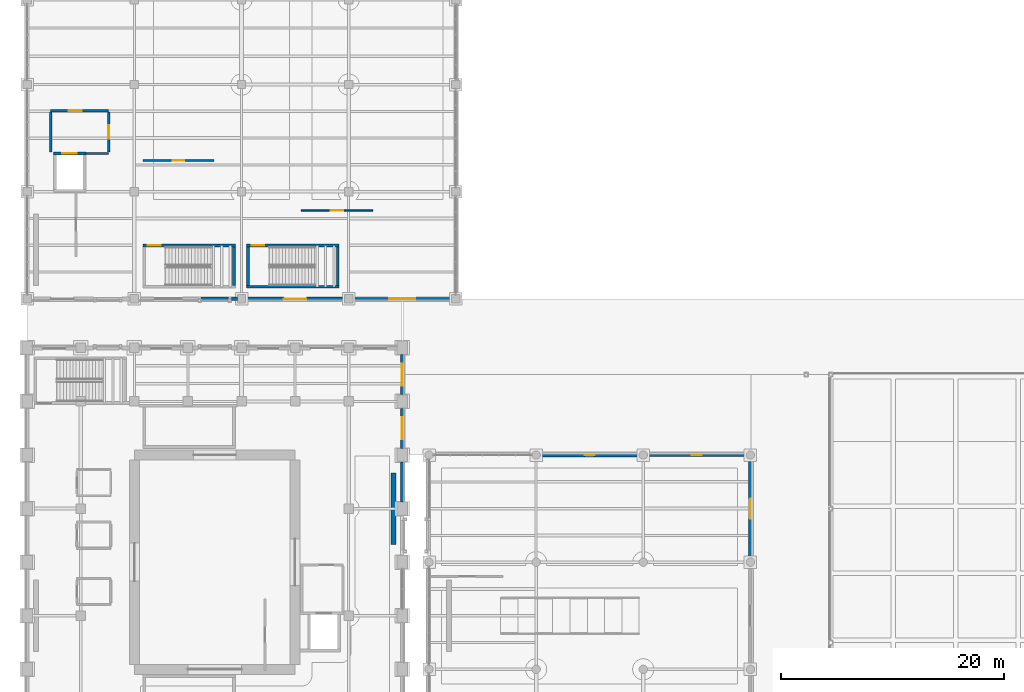
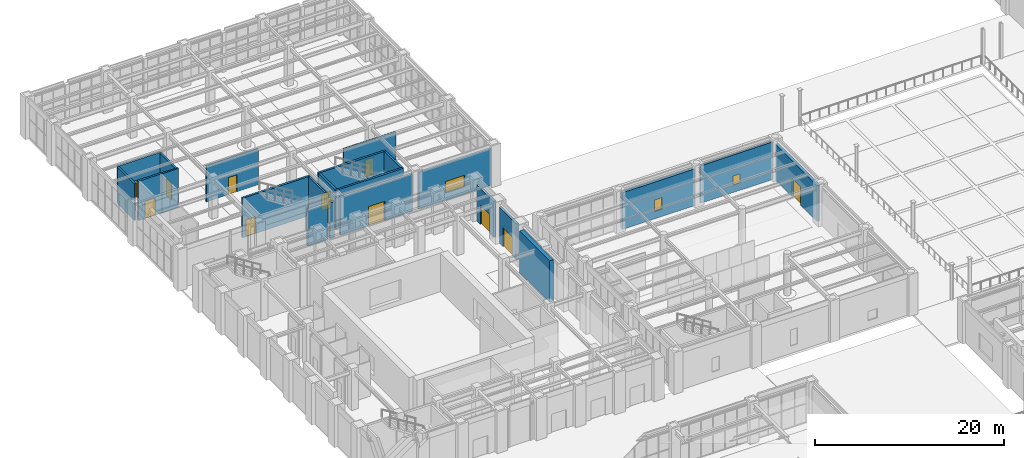
# One storey, part 134 of 164: 24 walls, 11 doors, 3 windows, 14 openings.
"""IFC4 building model written with IfcOpenShell, lengths in metres."""

from ifc_helpers import new_model, si_unit, direction, frame, frame_2d, origin, place, context, subcontext, project, spatial, rectangle, extrude, material, layer, layer_set, type_object, element, fill, save


model = new_model("IFC4")

# Units and contexts
model_context = context("Model", 3, precision=1e-05, world=origin(), true_north=direction((0.0, 1.0)))
body_context = subcontext(model_context, "Body", "Model", "MODEL_VIEW")
ifc_project = project(units=[si_unit("LENGTHUNIT", "METRE"), si_unit("AREAUNIT", "SQUARE_METRE"), si_unit("VOLUMEUNIT", "CUBIC_METRE"), si_unit("PLANEANGLEUNIT", "RADIAN"), si_unit("MASSUNIT", "GRAM", prefix="KILO")], contexts=[model_context])

# Site, building, storey
site_placement = place(None, origin())
site = spatial("IfcSite", under=ifc_project, at=site_placement, CompositionType="ELEMENT")
building_placement = place(site_placement, origin())
building = spatial("IfcBuilding", under=site, at=building_placement, Name="Mavantir Sound Aquarium", CompositionType="ELEMENT")
storey_placement = place(building_placement, origin())
storey = spatial("IfcBuildingStorey", under=building, at=storey_placement, Name="L00", CompositionType="ELEMENT", Elevation=0.0)

# Walls
ifc_material_1 = material(Name="Coral-Buff Architectural Precast Concrete C40/50", Category="concrete")
ifc_layer_1 = layer(ifc_material_1, 0.31005859375, Name="Coral-Buff Architectural Precast Concrete C40/50")
ifc_layer_set_1 = layer_set([ifc_layer_1], Name="Coral-Buff Architectural Precast Concrete C40/50")
wall_type_1 = type_object("IfcWallType", Name="EW-CORAL-310", PredefinedType="SOLIDWALL", material=ifc_layer_set_1)
wall_1_placement = place(storey_placement, frame((18.282958984375, 83.60009765625, 0.0), z_axis=(0.0, 0.0, 1.0), x_axis=(1.0, 0.0, 0.0)))
element("IfcWall", 1, at=wall_1_placement, inside=storey, type_object=wall_type_1, Name="L00 exterior facade wall EW-02 110", PredefinedType="SOLIDWALL", context=body_context, shape_type="SweptSolid", body=[
    extrude(rectangle(XDim=0.533935546875, YDim=0.31005859375, at=frame_2d((0.26708984375, 0.0))), origin(), (0.0, 0.0, 1.0), 4.62109375),
])
ifc_layer_2 = layer(ifc_material_1, 0.340087890625, Name="Coral-Buff Architectural Precast Concrete C40/50")
ifc_layer_set_2 = layer_set([ifc_layer_2], Name="Coral-Buff Architectural Precast Concrete C40/50")
wall_type_2 = type_object("IfcWallType", Name="EW-CORAL-340", PredefinedType="SOLIDWALL", material=ifc_layer_set_2)
wall_2_placement = place(storey_placement, frame((33.60009765625, 65.407958984375, 0.0), z_axis=(0.0, 0.0, 1.0), x_axis=(0.0, 1.0, 0.0)))
element("IfcWall", 2, at=wall_2_placement, inside=storey, type_object=wall_type_2, Name="L00 exterior facade wall EW-01 32", PredefinedType="SOLIDWALL", context=body_context, shape_type="SweptSolid", body=[
    extrude(rectangle(XDim=3.583984375, YDim=0.340087890625, at=frame_2d((1.7919921875, 0.0))), origin(), (0.0, 0.0, 1.0), 4.657958984375),
])

# Wall, opening, door
wall_3_placement = place(storey_placement, frame((33.60009765625, 70.2080078125, 0.0), z_axis=(0.0, 0.0, 1.0), x_axis=(0.0, 1.0, 0.0)))
wall_3 = element("IfcWall", 3, at=wall_3_placement, inside=storey, type_object=wall_type_2, Name="L00 exterior facade wall EW-01 33", PredefinedType="SOLIDWALL", context=body_context, shape_type="SweptSolid", body=[
    extrude(rectangle(XDim=3.583984375, YDim=0.340087890625, at=frame_2d((1.7919921875, 0.0))), origin(), (0.0, 0.0, 1.0), 4.657958984375),
])
opening_1_placement = place(wall_3_placement, frame((2.7919921875, 0.0, 0.0), z_axis=(0.0, 0.0, 1.0), x_axis=(-1.0, 0.0, 0.0)))
opening_1 = element("IfcOpeningElement", 4, at=opening_1_placement, cuts=wall_3, Name="Opening EXD-01", PredefinedType="OPENING", context=body_context, shape_type="SweptSolid", body=[
    extrude(rectangle(XDim=2.0, YDim=2.5, at=frame_2d((1.0, 1.25))), frame((0.0, 0.18017578125, 0.0), z_axis=(0.0, -1.0, 0.0), x_axis=(1.0, 0.0, 0.0)), (0.0, 0.0, 1.0), 0.360107421875),
])
ifc_material_2 = material(Name="Marine-Grade Anodised Aluminium and Laminated Glass", Category="aluminium")
door_type_1 = type_object("IfcDoorType", Name="DR-EX-200", OperationType="NOTDEFINED", PredefinedType="DOOR", material=ifc_material_2)
door_1_placement = place(opening_1_placement, origin())
door_1 = element("IfcDoor", 5, at=door_1_placement, inside=storey, type_object=door_type_1, Name="Final exit door EX-11 (V1)", OperationType="DOUBLE_DOOR_SINGLE_SWING", OverallHeight=2.5, OverallWidth=2.0, PredefinedType="DOOR", context=body_context, shape_type="SweptSolid", body=[
    extrude(rectangle(XDim=2.0, YDim=2.5, at=frame_2d((1.0, 1.25))), frame((0.0, 0.02490234375, 0.0), z_axis=(0.0, -1.0, 0.0), x_axis=(1.0, 0.0, 0.0)), (0.0, 0.0, 1.0), 0.050048828125),
])
fill(opening_1, door_1)

wall_4_placement = place(storey_placement, frame((33.60009765625, 75.008056640625, 0.0), z_axis=(0.0, 0.0, 1.0), x_axis=(0.0, 1.0, 0.0)))
wall_4 = element("IfcWall", 6, at=wall_4_placement, inside=storey, type_object=wall_type_2, Name="L00 exterior facade wall EW-01 34", PredefinedType="SOLIDWALL", context=body_context, shape_type="SweptSolid", body=[
    extrude(rectangle(XDim=3.583984375, YDim=0.340087890625, at=frame_2d((1.7919921875, 0.0))), origin(), (0.0, 0.0, 1.0), 4.656005859375),
])
opening_2_placement = place(wall_4_placement, frame((2.7919921875, 0.0, 0.0), z_axis=(0.0, 0.0, 1.0), x_axis=(-1.0, 0.0, 0.0)))
opening_2 = element("IfcOpeningElement", 7, at=opening_2_placement, cuts=wall_4, Name="Opening EXD-01", PredefinedType="OPENING", context=body_context, shape_type="SweptSolid", body=[
    extrude(rectangle(XDim=2.0, YDim=2.5, at=frame_2d((1.0, 1.25))), frame((0.0, 0.18017578125, 0.0), z_axis=(0.0, -1.0, 0.0), x_axis=(1.0, 0.0, 0.0)), (0.0, 0.0, 1.0), 0.360107421875),
])
door_2_placement = place(opening_2_placement, origin())
door_2 = element("IfcDoor", 8, at=door_2_placement, inside=storey, type_object=door_type_1, Name="Final exit door EX-12 (V1)", OperationType="DOUBLE_DOOR_SINGLE_SWING", OverallHeight=2.5, OverallWidth=2.0, PredefinedType="DOOR", context=body_context, shape_type="SweptSolid", body=[
    extrude(rectangle(XDim=2.0, YDim=2.5, at=frame_2d((1.0, 1.25))), frame((0.0, 0.02490234375, 0.0), z_axis=(0.0, -1.0, 0.0), x_axis=(1.0, 0.0, 0.0)), (0.0, 0.0, 1.0), 0.050048828125),
])
fill(opening_2, door_2)

# Wall, opening, window
wall_5_placement = place(storey_placement, frame((54.81689453125, 69.60009765625, 0.0), z_axis=(0.0, 0.0, 1.0), x_axis=(-1.0, 0.0, 0.0)))
wall_5 = element("IfcWall", 9, at=wall_5_placement, inside=storey, type_object=wall_type_2, Name="L00 exterior facade wall EW-01 67", PredefinedType="SOLIDWALL", context=body_context, shape_type="SweptSolid", body=[
    extrude(rectangle(XDim=8.833984375, YDim=0.340087890625, at=frame_2d((4.4169921875, 0.0))), origin(), (0.0, 0.0, 1.0), 4.758056640625),
])
opening_3_placement = place(wall_5_placement, frame((3.967041015625, 0.0, 0.949951171875)))
opening_3 = element("IfcOpeningElement", 10, at=opening_3_placement, cuts=wall_5, Name="Opening W-02", PredefinedType="OPENING", context=body_context, shape_type="SweptSolid", body=[
    extrude(rectangle(XDim=0.89990234375, YDim=1.5, at=frame_2d((0.449951171875, 0.75))), frame((0.0, 0.18017578125, 0.0), z_axis=(0.0, -1.0, 0.0), x_axis=(1.0, 0.0, 0.0)), (0.0, 0.0, 1.0), 0.360107421875),
])
ifc_material_3 = material(Name="Thermally Broken Aluminium and Low-E Glass", Category="aluminium")
window_type_1 = type_object("IfcWindowType", Name="WIN-EXT-02", PartitioningType="SINGLE_PANEL", PredefinedType="WINDOW", material=ifc_material_3)
window_1_placement = place(opening_3_placement, origin())
window_1 = element("IfcWindow", 11, at=window_1_placement, inside=storey, type_object=window_type_1, Name="L00 facade window W-02 2", OverallHeight=1.5, OverallWidth=0.89990234375, PartitioningType="SINGLE_PANEL", PredefinedType="WINDOW", context=body_context, shape_type="SweptSolid", body=[
    extrude(rectangle(XDim=0.89990234375, YDim=1.5, at=frame_2d((0.449951171875, 0.75))), frame((0.0, 0.030029296875, 0.0), z_axis=(0.0, -1.0, 0.0), x_axis=(1.0, 0.0, 0.0)), (0.0, 0.0, 1.0), 0.06005859375),
])
fill(opening_3, window_1)

# Wall
wall_6_placement = place(storey_placement, frame((15.5830078125, 83.60009765625, 0.0), z_axis=(0.0, 0.0, 1.0), x_axis=(1.0, 0.0, 0.0)))
element("IfcWall", 12, at=wall_6_placement, inside=storey, type_object=wall_type_2, Name="L00 exterior facade wall EW-01 109", PredefinedType="SOLIDWALL", context=body_context, shape_type="SweptSolid", body=[
    extrude(rectangle(XDim=2.43408203125, YDim=0.340087890625, at=frame_2d((1.217041015625, 0.0))), origin(), (0.0, 0.0, 1.0), 4.62109375),
])

# Wall, opening, window
ifc_material_4 = material(Name="Architectural Precast Concrete C40/50", Category="concrete")
ifc_layer_3 = layer(ifc_material_4, 0.239990234375, Name="Architectural Precast Concrete C40/50")
ifc_layer_set_3 = layer_set([ifc_layer_3], Name="Architectural Precast Concrete C40/50")
wall_type_3 = type_object("IfcWallType", Name="EW-PRE-240", PredefinedType="SOLIDWALL", material=ifc_layer_set_3)
wall_7_placement = place(storey_placement, frame((64.4169921875, 69.60009765625, 0.0), z_axis=(0.0, 0.0, 1.0), x_axis=(-1.0, 0.0, 0.0)))
wall_7 = element("IfcWall", 13, at=wall_7_placement, inside=storey, type_object=wall_type_3, Name="L00 exterior facade wall EW-06 66", PredefinedType="SOLIDWALL", context=body_context, shape_type="SweptSolid", body=[
    extrude(rectangle(XDim=8.833984375, YDim=0.239990234375, at=frame_2d((4.4169921875, 0.0))), origin(), (0.0, 0.0, 1.0), 4.863037109375),
])
opening_4_placement = place(wall_7_placement, frame((3.967041015625, 0.0, 0.949951171875)))
opening_4 = element("IfcOpeningElement", 14, at=opening_4_placement, cuts=wall_7, Name="Opening W-01", PredefinedType="OPENING", context=body_context, shape_type="SweptSolid", body=[
    extrude(rectangle(XDim=0.89990234375, YDim=1.199951171875, at=frame_2d((0.449951171875, 0.60009765625))), frame((0.0, 0.1298828125, 0.0), z_axis=(0.0, -1.0, 0.0), x_axis=(1.0, 0.0, 0.0)), (0.0, 0.0, 1.0), 0.260009765625),
])
window_type_2 = type_object("IfcWindowType", Name="WIN-EXT-01", PartitioningType="SINGLE_PANEL", PredefinedType="WINDOW", material=ifc_material_3)
window_2_placement = place(opening_4_placement, origin())
window_2 = element("IfcWindow", 15, at=window_2_placement, inside=storey, type_object=window_type_2, Name="L00 facade window W-01 1", OverallHeight=1.199951171875, OverallWidth=0.89990234375, PartitioningType="SINGLE_PANEL", PredefinedType="WINDOW", context=body_context, shape_type="SweptSolid", body=[
    extrude(rectangle(XDim=0.89990234375, YDim=1.199951171875, at=frame_2d((0.449951171875, 0.60009765625))), frame((0.0, 0.030029296875, 0.0), z_axis=(0.0, -1.0, 0.0), x_axis=(1.0, 0.0, 0.0)), (0.0, 0.0, 1.0), 0.06005859375),
])
fill(opening_4, window_2)

# Wall, opening, door
ifc_layer_4 = layer(ifc_material_1, 0.360107421875, Name="Coral-Buff Architectural Precast Concrete C40/50")
ifc_layer_set_4 = layer_set([ifc_layer_4], Name="Coral-Buff Architectural Precast Concrete C40/50")
wall_type_4 = type_object("IfcWallType", Name="EW-PRE-360", PredefinedType="SOLIDWALL", material=ifc_layer_set_4)
wall_8_placement = place(storey_placement, frame((64.800048828125, 60.383056640625, 0.0), z_axis=(0.0, 0.0, 1.0), x_axis=(0.0, 1.0, 0.0)))
wall_8 = element("IfcWall", 16, at=wall_8_placement, inside=storey, type_object=wall_type_4, Name="L00 exterior facade wall EW-05 65", PredefinedType="SOLIDWALL", context=body_context, shape_type="SweptSolid", body=[
    extrude(rectangle(XDim=8.833984375, YDim=0.360107421875, at=frame_2d((4.4169921875, 0.0))), origin(), (0.0, 0.0, 1.0), 4.64892578125),
])
opening_5_placement = place(wall_8_placement, frame((5.317138671875, 0.0, 0.0), z_axis=(0.0, 0.0, 1.0), x_axis=(-1.0, 0.0, 0.0)))
opening_5 = element("IfcOpeningElement", 17, at=opening_5_placement, cuts=wall_8, Name="Opening EXD-02", PredefinedType="OPENING", context=body_context, shape_type="SweptSolid", body=[
    extrude(rectangle(XDim=1.800048828125, YDim=2.39990234375, at=frame_2d((0.89990234375, 1.199951171875))), frame((0.0, 0.18994140625, 0.0), z_axis=(0.0, -1.0, 0.0), x_axis=(1.0, 0.0, 0.0)), (0.0, 0.0, 1.0), 0.380126953125),
])
door_type_2 = type_object("IfcDoorType", Name="DR-EX-180", OperationType="NOTDEFINED", PredefinedType="DOOR", material=ifc_material_2)
door_3_placement = place(opening_5_placement, origin())
door_3 = element("IfcDoor", 18, at=door_3_placement, inside=storey, type_object=door_type_2, Name="Final exit door EX-22 (V2)", OperationType="DOUBLE_DOOR_SINGLE_SWING", OverallHeight=2.39990234375, OverallWidth=1.800048828125, PredefinedType="DOOR", context=body_context, shape_type="SweptSolid", body=[
    extrude(rectangle(XDim=1.800048828125, YDim=2.39990234375, at=frame_2d((0.89990234375, 1.199951171875))), frame((0.0, 0.02490234375, 0.0), z_axis=(0.0, -1.0, 0.0), x_axis=(1.0, 0.0, 0.0)), (0.0, 0.0, 1.0), 0.050048828125),
])
fill(opening_5, door_3)

# Wall, opening, window
ifc_material_5 = material(Name="Cerulean Glazed Terracotta Rainscreen on Concrete C40/50", Category="masonry")
ifc_layer_5 = layer(ifc_material_5, 0.27001953125, Name="Cerulean Glazed Terracotta Rainscreen on Concrete C40/50")
ifc_layer_set_5 = layer_set([ifc_layer_5], Name="Cerulean Glazed Terracotta Rainscreen on Concrete C40/50")
wall_type_5 = type_object("IfcWallType", Name="EW-TERRA-270", PredefinedType="SOLIDWALL", material=ifc_layer_set_5)
wall_9_placement = place(storey_placement, frame((29.18310546875, 83.60009765625, 0.0), z_axis=(0.0, 0.0, 1.0), x_axis=(1.0, 0.0, 0.0)))
wall_9 = element("IfcWall", 19, at=wall_9_placement, inside=storey, type_object=wall_type_5, Name="L00 exterior facade wall EW-04 112", PredefinedType="SOLIDWALL", context=body_context, shape_type="SweptSolid", body=[
    extrude(rectangle(XDim=8.833984375, YDim=0.27001953125, at=frame_2d((4.4169921875, 0.0))), origin(), (0.0, 0.0, 1.0), 4.758056640625),
])
opening_6_placement = place(wall_9_placement, frame((3.241943359375, 0.0, 0.949951171875)))
opening_6 = element("IfcOpeningElement", 20, at=opening_6_placement, cuts=wall_9, Name="Opening W-30", PredefinedType="OPENING", context=body_context, shape_type="SweptSolid", body=[
    extrude(rectangle(XDim=2.35009765625, YDim=1.5, at=frame_2d((1.175048828125, 0.75))), frame((0.0, 0.14501953125, 0.0), z_axis=(0.0, -1.0, 0.0), x_axis=(1.0, 0.0, 0.0)), (0.0, 0.0, 1.0), 0.2900390625),
])
window_type_3 = type_object("IfcWindowType", Name="WIN-EXT-30", PartitioningType="DOUBLE_PANEL_VERTICAL", PredefinedType="WINDOW", material=ifc_material_3)
window_3_placement = place(opening_6_placement, origin())
window_3 = element("IfcWindow", 21, at=window_3_placement, inside=storey, type_object=window_type_3, Name="L00 facade window W-30 30", OverallHeight=1.5, OverallWidth=2.35009765625, PartitioningType="SINGLE_PANEL", PredefinedType="WINDOW", context=body_context, shape_type="SweptSolid", body=[
    extrude(rectangle(XDim=2.35009765625, YDim=1.5, at=frame_2d((1.175048828125, 0.75))), frame((0.0, 0.030029296875, 0.0), z_axis=(0.0, -1.0, 0.0), x_axis=(1.0, 0.0, 0.0)), (0.0, 0.0, 1.0), 0.06005859375),
])
fill(opening_6, window_3)

# Wall, opening, door
ifc_material_6 = material(Name="Turquoise Glazed Terracotta Rainscreen on Concrete C40/50", Category="masonry")
ifc_layer_6 = layer(ifc_material_6, 0.2900390625, Name="Turquoise Glazed Terracotta Rainscreen on Concrete C40/50")
ifc_layer_set_6 = layer_set([ifc_layer_6], Name="Turquoise Glazed Terracotta Rainscreen on Concrete C40/50")
wall_type_6 = type_object("IfcWallType", Name="EW-TERRA-290", PredefinedType="SOLIDWALL", material=ifc_layer_set_6)
wall_10_placement = place(storey_placement, frame((19.5830078125, 83.60009765625, 0.0), z_axis=(0.0, 0.0, 1.0), x_axis=(1.0, 0.0, 0.0)))
wall_10 = element("IfcWall", 22, at=wall_10_placement, inside=storey, type_object=wall_type_6, Name="L00 exterior facade wall EW-03 111", PredefinedType="SOLIDWALL", context=body_context, shape_type="SweptSolid", body=[
    extrude(rectangle(XDim=8.833984375, YDim=0.2900390625, at=frame_2d((4.4169921875, 0.0))), origin(), (0.0, 0.0, 1.0), 4.863037109375),
])
opening_7_placement = place(wall_10_placement, frame((5.4169921875, 0.0, 0.0), z_axis=(0.0, 0.0, 1.0), x_axis=(-1.0, 0.0, 0.0)))
opening_7 = element("IfcOpeningElement", 23, at=opening_7_placement, cuts=wall_10, Name="Opening EXD-01", PredefinedType="OPENING", context=body_context, shape_type="SweptSolid", body=[
    extrude(rectangle(XDim=2.0, YDim=2.5, at=frame_2d((1.0, 1.25))), frame((0.0, 0.155029296875, 0.0), z_axis=(0.0, -1.0, 0.0), x_axis=(1.0, 0.0, 0.0)), (0.0, 0.0, 1.0), 0.31005859375),
])
door_4_placement = place(opening_7_placement, origin())
door_4 = element("IfcDoor", 24, at=door_4_placement, inside=storey, type_object=door_type_1, Name="Final exit door EX-07 (V5 ST7 discharge)", OperationType="DOUBLE_DOOR_SINGLE_SWING", OverallHeight=2.5, OverallWidth=2.0, PredefinedType="DOOR", context=body_context, shape_type="SweptSolid", body=[
    extrude(rectangle(XDim=2.0, YDim=2.5, at=frame_2d((1.0, 1.25))), frame((0.0, 0.02490234375, 0.0), z_axis=(0.0, -1.0, 0.0), x_axis=(1.0, 0.0, 0.0)), (0.0, 0.0, 1.0), 0.050048828125),
])
fill(opening_7, door_4)

ifc_material_7 = material(Name="Concrete C40/50", Category="concrete")
ifc_layer_7 = layer(ifc_material_7, 0.199951171875, Name="Concrete C40/50")
ifc_layer_set_7 = layer_set([ifc_layer_7], Name="Concrete C40/50")
wall_type_7 = type_object("IfcWallType", Name="IW-FFL-200", PredefinedType="PARTITIONING", material=ifc_layer_set_7)
wall_11_placement = place(storey_placement, frame((2.10009765625, 100.449951171875, 0.0), z_axis=(0.0, 0.0, 1.0), x_axis=(1.0, 0.0, 0.0)))
wall_11 = element("IfcWall", 25, at=wall_11_placement, inside=storey, type_object=wall_type_7, Name="L00 firefighting lift lobby LC2 wall N", PredefinedType="PARTITIONING", context=body_context, shape_type="SweptSolid", body=[
    extrude(rectangle(XDim=5.199951171875, YDim=0.199951171875, at=frame_2d((2.60009765625, 0.0))), origin(), (0.0, 0.0, 1.0), 4.81396484375),
])
opening_8_placement = place(wall_11_placement, frame((1.60009765625, 0.0, 0.0)))
opening_8 = element("IfcOpeningElement", 26, at=opening_8_placement, cuts=wall_11, Name="Opening FD-01", PredefinedType="OPENING", context=body_context, shape_type="SweptSolid", body=[
    extrude(rectangle(XDim=1.199951171875, YDim=2.199951171875, at=frame_2d((0.60009765625, 1.10009765625))), frame((0.0, 0.10986328125, 0.0), z_axis=(0.0, -1.0, 0.0), x_axis=(1.0, 0.0, 0.0)), (0.0, 0.0, 1.0), 0.219970703125),
])
ifc_material_8 = material(Name="Fire-Rated Steel Lobby Door Leaf", Category="steel")
door_type_3 = type_object("IfcDoorType", Name="DR-FFL-120", OperationType="NOTDEFINED", PredefinedType="DOOR", material=ifc_material_8)
door_5_placement = place(opening_8_placement, origin())
door_5 = element("IfcDoor", 27, at=door_5_placement, inside=storey, type_object=door_type_3, Name="L00 firefighting lobby LC2 accommodation door", OperationType="SINGLE_SWING_LEFT", OverallHeight=2.199951171875, OverallWidth=1.199951171875, PredefinedType="DOOR", context=body_context, shape_type="SweptSolid", body=[
    extrude(rectangle(XDim=1.199951171875, YDim=2.199951171875, at=frame_2d((0.60009765625, 1.10009765625))), frame((0.0, 0.02490234375, 0.0), z_axis=(0.0, -1.0, 0.0), x_axis=(1.0, 0.0, 0.0)), (0.0, 0.0, 1.0), 0.050048828125),
])
fill(opening_8, door_5)

# Wall
wall_12_placement = place(storey_placement, frame((2.10009765625, 96.75, 0.0), z_axis=(0.0, 0.0, 1.0), x_axis=(0.0, 1.0, 0.0)))
element("IfcWall", 28, at=wall_12_placement, inside=storey, type_object=wall_type_7, Name="L00 firefighting lift lobby LC2 wall W", PredefinedType="PARTITIONING", context=body_context, shape_type="SweptSolid", body=[
    extrude(rectangle(XDim=3.60009765625, YDim=0.199951171875, at=frame_2d((1.800048828125, 0.0))), origin(), (0.0, 0.0, 1.0), 4.756103515625),
])

# Wall, opening, door
wall_13_placement = place(storey_placement, frame((7.300048828125, 96.75, 0.0), z_axis=(0.0, 0.0, 1.0), x_axis=(0.0, 1.0, 0.0)))
wall_13 = element("IfcWall", 29, at=wall_13_placement, inside=storey, type_object=wall_type_7, Name="L00 firefighting lift lobby LC2 wall E", PredefinedType="PARTITIONING", context=body_context, shape_type="SweptSolid", body=[
    extrude(rectangle(XDim=3.60009765625, YDim=0.199951171875, at=frame_2d((1.800048828125, 0.0))), origin(), (0.0, 0.0, 1.0), 4.756103515625),
])
opening_9_placement = place(wall_13_placement, frame((1.199951171875, 0.0, 0.0)))
opening_9 = element("IfcOpeningElement", 30, at=opening_9_placement, cuts=wall_13, Name="Opening FD-01", PredefinedType="OPENING", context=body_context, shape_type="SweptSolid", body=[
    extrude(rectangle(XDim=1.199951171875, YDim=2.199951171875, at=frame_2d((0.60009765625, 1.10009765625))), frame((0.0, 0.10986328125, 0.0), z_axis=(0.0, -1.0, 0.0), x_axis=(1.0, 0.0, 0.0)), (0.0, 0.0, 1.0), 0.219970703125),
])
door_6_placement = place(opening_9_placement, origin())
door_6 = element("IfcDoor", 31, at=door_6_placement, inside=storey, type_object=door_type_3, Name="L00 firefighting lobby LC2 stair-access door", OperationType="SINGLE_SWING_RIGHT", OverallHeight=2.199951171875, OverallWidth=1.199951171875, PredefinedType="DOOR", context=body_context, shape_type="SweptSolid", body=[
    extrude(rectangle(XDim=1.199951171875, YDim=2.199951171875, at=frame_2d((0.60009765625, 1.10009765625))), frame((0.0, 0.02490234375, 0.0), z_axis=(0.0, -1.0, 0.0), x_axis=(1.0, 0.0, 0.0)), (0.0, 0.0, 1.0), 0.050048828125),
])
fill(opening_9, door_6)

# Wall
wall_14_placement = place(storey_placement, frame((5.25, 96.625, 0.0), z_axis=(0.0, 0.0, 1.0), x_axis=(1.0, 0.0, 0.0)))
element("IfcWall", 32, at=wall_14_placement, inside=storey, type_object=wall_type_7, Name="L00 firefighting lift lobby LC2 return SE", PredefinedType="PARTITIONING", context=body_context, shape_type="SweptSolid", body=[
    extrude(rectangle(XDim=2.050048828125, YDim=0.199951171875, at=frame_2d((1.02490234375, 0.0))), origin(), (0.0, 0.0, 1.0), 5.0400390625),
])

# Wall, opening, door
ifc_material_9 = material(Name="Moisture-Resistant Marine Gypsum Partition", Category="gypsum")
ifc_layer_8 = layer(ifc_material_9, 0.14990234375, Name="Moisture-Resistant Marine Gypsum Partition")
ifc_layer_set_8 = layer_set([ifc_layer_8], Name="Moisture-Resistant Marine Gypsum Partition")
wall_type_8 = type_object("IfcWallType", Name="IW-PART-150", PredefinedType="PARTITIONING", material=ifc_layer_set_8)
wall_15_placement = place(storey_placement, frame((24.550048828125, 91.5, 0.0), z_axis=(0.0, 0.0, 1.0), x_axis=(1.0, 0.0, 0.0)))
wall_15 = element("IfcWall", 33, at=wall_15_placement, inside=storey, type_object=wall_type_8, Name="L00 Aquarium Gift Shop and Marine Bookshop entry partition", PredefinedType="PARTITIONING", context=body_context, shape_type="SweptSolid", body=[
    extrude(rectangle(XDim=6.39990234375, YDim=0.14990234375, at=frame_2d((3.199951171875, 0.0))), origin(), (0.0, 0.0, 1.0), 4.596923828125),
])
opening_10_placement = place(wall_15_placement, frame((2.6298828125, 0.0, 0.0)))
opening_10 = element("IfcOpeningElement", 34, at=opening_10_placement, cuts=wall_15, Name="Opening ID-07", PredefinedType="OPENING", context=body_context, shape_type="SweptSolid", body=[
    extrude(rectangle(XDim=1.139892578125, YDim=2.219970703125, at=frame_2d((0.56982421875, 1.10986328125))), frame((0.0, 0.0849609375, 0.0), z_axis=(0.0, -1.0, 0.0), x_axis=(1.0, 0.0, 0.0)), (0.0, 0.0, 1.0), 0.169921875),
])
ifc_material_10 = material(Name="Solid-Core Marine Hardwood and Vision-Panel Door", Category="wood")
door_type_4 = type_object("IfcDoorType", Name="DR-INT-07", OperationType="NOTDEFINED", PredefinedType="DOOR", material=ifc_material_10)
door_7_placement = place(opening_10_placement, origin())
door_7 = element("IfcDoor", 35, at=door_7_placement, inside=storey, type_object=door_type_4, Name="Aquarium Gift Shop and Marine Bookshop door", OperationType="SINGLE_SWING_LEFT", OverallHeight=2.219970703125, OverallWidth=1.139892578125, PredefinedType="DOOR", context=body_context, shape_type="SweptSolid", body=[
    extrude(rectangle(XDim=1.139892578125, YDim=2.219970703125, at=frame_2d((0.56982421875, 1.10986328125))), frame((0.0, 0.02490234375, 0.0), z_axis=(0.0, -1.0, 0.0), x_axis=(1.0, 0.0, 0.0)), (0.0, 0.0, 1.0), 0.050048828125),
])
fill(opening_10, door_7)

ifc_material_11 = material(Name="Acoustic Metal-Stud Gypsum Partition", Category="gypsum")
ifc_layer_9 = layer(ifc_material_11, 0.179931640625, Name="Acoustic Metal-Stud Gypsum Partition")
ifc_layer_set_9 = layer_set([ifc_layer_9], Name="Acoustic Metal-Stud Gypsum Partition")
wall_type_9 = type_object("IfcWallType", Name="IW-PART-180", PredefinedType="PARTITIONING", material=ifc_layer_set_9)
wall_16_placement = place(storey_placement, frame((10.35009765625, 96.0, 0.0), z_axis=(0.0, 0.0, 1.0), x_axis=(1.0, 0.0, 0.0)))
wall_16 = element("IfcWall", 36, at=wall_16_placement, inside=storey, type_object=wall_type_9, Name="L00 Waterfront Harbour Cafe and Coastal Dining Room entry partition", PredefinedType="PARTITIONING", context=body_context, shape_type="SweptSolid", body=[
    extrude(rectangle(XDim=6.39990234375, YDim=0.179931640625, at=frame_2d((3.199951171875, 0.0))), origin(), (0.0, 0.0, 1.0), 4.64892578125),
])
opening_11_placement = place(wall_16_placement, frame((2.669921875, 0.0, 0.0)))
opening_11 = element("IfcOpeningElement", 37, at=opening_11_placement, cuts=wall_16, Name="Opening ID-05", PredefinedType="OPENING", context=body_context, shape_type="SweptSolid", body=[
    extrude(rectangle(XDim=1.06005859375, YDim=2.199951171875, at=frame_2d((0.530029296875, 1.10009765625))), frame((0.0, 0.10009765625, 0.0), z_axis=(0.0, -1.0, 0.0), x_axis=(1.0, 0.0, 0.0)), (0.0, 0.0, 1.0), 0.199951171875),
])
door_type_5 = type_object("IfcDoorType", Name="DR-INT-05", OperationType="NOTDEFINED", PredefinedType="DOOR", material=ifc_material_10)
door_8_placement = place(opening_11_placement, origin())
door_8 = element("IfcDoor", 38, at=door_8_placement, inside=storey, type_object=door_type_5, Name="Waterfront Harbour Cafe and Coastal Dining Room door", OperationType="SINGLE_SWING_LEFT", OverallHeight=2.199951171875, OverallWidth=1.06005859375, PredefinedType="DOOR", context=body_context, shape_type="SweptSolid", body=[
    extrude(rectangle(XDim=1.06005859375, YDim=2.199951171875, at=frame_2d((0.530029296875, 1.10009765625))), frame((0.0, 0.02490234375, 0.0), z_axis=(0.0, -1.0, 0.0), x_axis=(1.0, 0.0, 0.0)), (0.0, 0.0, 1.0), 0.050048828125),
])
fill(opening_11, door_8)

ifc_layer_10 = layer(ifc_material_7, 0.25, Name="Concrete C40/50")
ifc_layer_set_10 = layer_set([ifc_layer_10], Name="Concrete C40/50")
wall_type_10 = type_object("IfcWallType", Name="IW-SHAFT-250", PredefinedType="SHEAR", material=ifc_layer_set_10)
wall_17_placement = place(storey_placement, frame((18.64990234375, 88.375, 0.0), z_axis=(0.0, 0.0, 1.0), x_axis=(-1.0, 0.0, 0.0)))
wall_17 = element("IfcWall", 39, at=wall_17_placement, inside=storey, type_object=wall_type_10, Name="L00 stair ST5 shaft wall N", PredefinedType="SHEAR", context=body_context, shape_type="SweptSolid", body=[
    extrude(rectangle(XDim=8.2998046875, YDim=0.25, at=frame_2d((4.14990234375, 0.0))), origin(), (0.0, 0.0, 1.0), 5.10009765625),
])
opening_12_placement = place(wall_17_placement, frame((7.849853515625, 0.0, 0.0), z_axis=(0.0, 0.0, 1.0), x_axis=(-1.0, 0.0, 0.0)))
opening_12 = element("IfcOpeningElement", 40, at=opening_12_placement, cuts=wall_17, Name="Opening SD-02", PredefinedType="OPENING", context=body_context, shape_type="SweptSolid", body=[
    extrude(rectangle(XDim=1.14990234375, YDim=2.199951171875, at=frame_2d((0.574951171875, 1.10009765625))), frame((0.0, 0.135009765625, 0.0), z_axis=(0.0, -1.0, 0.0), x_axis=(1.0, 0.0, 0.0)), (0.0, 0.0, 1.0), 0.27001953125),
])
ifc_material_12 = material(Name="Fire-Rated Steel Acoustic Door Leaf", Category="steel")
door_type_6 = type_object("IfcDoorType", Name="DR-ST-115", OperationType="NOTDEFINED", PredefinedType="DOOR", material=ifc_material_12)
door_9_placement = place(opening_12_placement, origin())
door_9 = element("IfcDoor", 41, at=door_9_placement, inside=storey, type_object=door_type_6, Name="L00 protected exit stair ST5 door", OperationType="SINGLE_SWING_LEFT", OverallHeight=2.199951171875, OverallWidth=1.14990234375, PredefinedType="DOOR", context=body_context, shape_type="SweptSolid", body=[
    extrude(rectangle(XDim=1.14990234375, YDim=2.199951171875, at=frame_2d((0.574951171875, 1.10009765625))), frame((0.0, 0.02490234375, 0.0), z_axis=(0.0, -1.0, 0.0), x_axis=(1.0, 0.0, 0.0)), (0.0, 0.0, 1.0), 0.050048828125),
])
fill(opening_12, door_9)

# Walls
wall_18_placement = place(storey_placement, frame((18.52490234375, 84.800048828125, 0.0), z_axis=(0.0, 0.0, 1.0), x_axis=(0.0, 1.0, 0.0)))
element("IfcWall", 42, at=wall_18_placement, inside=storey, type_object=wall_type_10, Name="L00 stair ST5 shaft wall E", PredefinedType="SHEAR", context=body_context, shape_type="SweptSolid", body=[
    extrude(rectangle(XDim=3.449951171875, YDim=0.25, at=frame_2d((1.72509765625, 0.0))), origin(), (0.0, 0.0, 1.0), 5.10009765625),
])
wall_19_placement = place(storey_placement, frame((19.64990234375, 84.675048828125, 0.0), z_axis=(0.0, 0.0, 1.0), x_axis=(1.0, 0.0, 0.0)))
element("IfcWall", 43, at=wall_19_placement, inside=storey, type_object=wall_type_10, Name="L00 stair ST7 shaft wall S", PredefinedType="SHEAR", context=body_context, shape_type="SweptSolid", body=[
    extrude(rectangle(XDim=8.300048828125, YDim=0.25, at=frame_2d((4.14990234375, 0.0))), origin(), (0.0, 0.0, 1.0), 5.10009765625),
])

# Wall, opening, door
wall_20_placement = place(storey_placement, frame((27.949951171875, 88.375, 0.0), z_axis=(0.0, 0.0, 1.0), x_axis=(-1.0, 0.0, 0.0)))
wall_20 = element("IfcWall", 44, at=wall_20_placement, inside=storey, type_object=wall_type_10, Name="L00 stair ST7 shaft wall N", PredefinedType="SHEAR", context=body_context, shape_type="SweptSolid", body=[
    extrude(rectangle(XDim=8.300048828125, YDim=0.25, at=frame_2d((4.14990234375, 0.0))), origin(), (0.0, 0.0, 1.0), 5.10009765625),
])
opening_13_placement = place(wall_20_placement, frame((7.849853515625, 0.0, 0.0), z_axis=(0.0, 0.0, 1.0), x_axis=(-1.0, 0.0, 0.0)))
opening_13 = element("IfcOpeningElement", 45, at=opening_13_placement, cuts=wall_20, Name="Opening SD-02", PredefinedType="OPENING", context=body_context, shape_type="SweptSolid", body=[
    extrude(rectangle(XDim=1.14990234375, YDim=2.199951171875, at=frame_2d((0.574951171875, 1.10009765625))), frame((0.0, 0.135009765625, 0.0), z_axis=(0.0, -1.0, 0.0), x_axis=(1.0, 0.0, 0.0)), (0.0, 0.0, 1.0), 0.27001953125),
])
door_10_placement = place(opening_13_placement, origin())
door_10 = element("IfcDoor", 46, at=door_10_placement, inside=storey, type_object=door_type_6, Name="L00 protected exit stair ST7 door", OperationType="SINGLE_SWING_LEFT", OverallHeight=2.199951171875, OverallWidth=1.14990234375, PredefinedType="DOOR", context=body_context, shape_type="SweptSolid", body=[
    extrude(rectangle(XDim=1.14990234375, YDim=2.199951171875, at=frame_2d((0.574951171875, 1.10009765625))), frame((0.0, 0.02490234375, 0.0), z_axis=(0.0, -1.0, 0.0), x_axis=(1.0, 0.0, 0.0)), (0.0, 0.0, 1.0), 0.050048828125),
])
fill(opening_13, door_10)

# Walls
for number, where, z_axis, x_axis, name in (
    (47, (19.77490234375, 88.25, 0.0), (0.0, 0.0, 1.0), (0.0, -1.0, 0.0), "L00 stair ST7 shaft wall W"),
    (48, (27.824951171875, 84.800048828125, 0.0), (0.0, 0.0, 1.0), (0.0, 1.0, 0.0), "L00 stair ST7 shaft wall E"),
):
    element("IfcWall", number, at=place(storey_placement, frame(where, z_axis=z_axis, x_axis=x_axis)), inside=storey, type_object=wall_type_10, Name=name, PredefinedType="SHEAR", context=body_context, shape_type="SweptSolid", body=[
        extrude(rectangle(XDim=3.449951171875, YDim=0.25, at=frame_2d((1.72509765625, 0.0))), origin(), (0.0, 0.0, 1.0), 5.10009765625),
    ])

# Wall, opening, door
wall_21_placement = place(storey_placement, frame((2.35009765625, 96.625, 0.0), z_axis=(0.0, 0.0, 1.0), x_axis=(1.0, 0.0, 0.0)))
wall_21 = element("IfcWall", 49, at=wall_21_placement, inside=storey, type_object=wall_type_10, Name="L00 lift LC2 shaft wall N", PredefinedType="SHEAR", context=body_context, shape_type="SweptSolid", body=[
    extrude(rectangle(XDim=2.89990234375, YDim=0.25, at=frame_2d((1.449951171875, 0.0))), origin(), (0.0, 0.0, 1.0), 5.10009765625),
])
opening_14_placement = place(wall_21_placement, frame((0.800048828125, 0.0, 0.0)))
opening_14 = element("IfcOpeningElement", 50, at=opening_14_placement, cuts=wall_21, Name="Opening LD-01", PredefinedType="OPENING", context=body_context, shape_type="SweptSolid", body=[
    extrude(rectangle(XDim=1.300048828125, YDim=2.199951171875, at=frame_2d((0.64990234375, 1.10009765625))), frame((0.0, 0.135009765625, 0.0), z_axis=(0.0, -1.0, 0.0), x_axis=(1.0, 0.0, 0.0)), (0.0, 0.0, 1.0), 0.27001953125),
])
ifc_material_13 = material(Name="Stainless Steel 316 Sliding Lift Landing Door", Category="steel")
door_type_7 = type_object("IfcDoorType", Name="DR-LD-130", OperationType="NOTDEFINED", PredefinedType="DOOR", material=ifc_material_13)
door_11_placement = place(opening_14_placement, origin())
door_11 = element("IfcDoor", 51, at=door_11_placement, inside=storey, type_object=door_type_7, Name="Lift LC2 sliding landing door (L00)", OperationType="DOUBLE_DOOR_SLIDING", OverallHeight=2.199951171875, OverallWidth=1.300048828125, PredefinedType="DOOR", context=body_context, shape_type="SweptSolid", body=[
    extrude(rectangle(XDim=1.300048828125, YDim=2.199951171875, at=frame_2d((0.64990234375, 1.10009765625))), frame((0.0, 0.02490234375, 0.0), z_axis=(0.0, -1.0, 0.0), x_axis=(1.0, 0.0, 0.0)), (0.0, 0.0, 1.0), 0.050048828125),
])
fill(opening_14, door_11)

# Wall
ifc_layer_11 = layer(ifc_material_7, 0.449951171875, Name="Concrete C40/50")
ifc_layer_set_11 = layer_set([ifc_layer_11], Name="Concrete C40/50")
wall_type_11 = type_object("IfcWallType", Name="SW-SHR-450", PredefinedType="SHEAR", material=ifc_layer_set_11)
wall_22_placement = place(storey_placement, frame((32.800048828125, 61.60009765625, 0.0), z_axis=(0.0, 0.0, 1.0), x_axis=(0.0, 1.0, 0.0)))
element("IfcWall", 52, at=wall_22_placement, inside=storey, type_object=wall_type_11, Name="L00 special RC shear wall 9 (V1)", PredefinedType="SHEAR", context=body_context, shape_type="SweptSolid", body=[
    extrude(rectangle(XDim=6.39990234375, YDim=0.449951171875, at=frame_2d((3.199951171875, 0.0))), origin(), (0.0, 0.0, 1.0), 5.39990234375),
])

save(model, "model.ifc")
